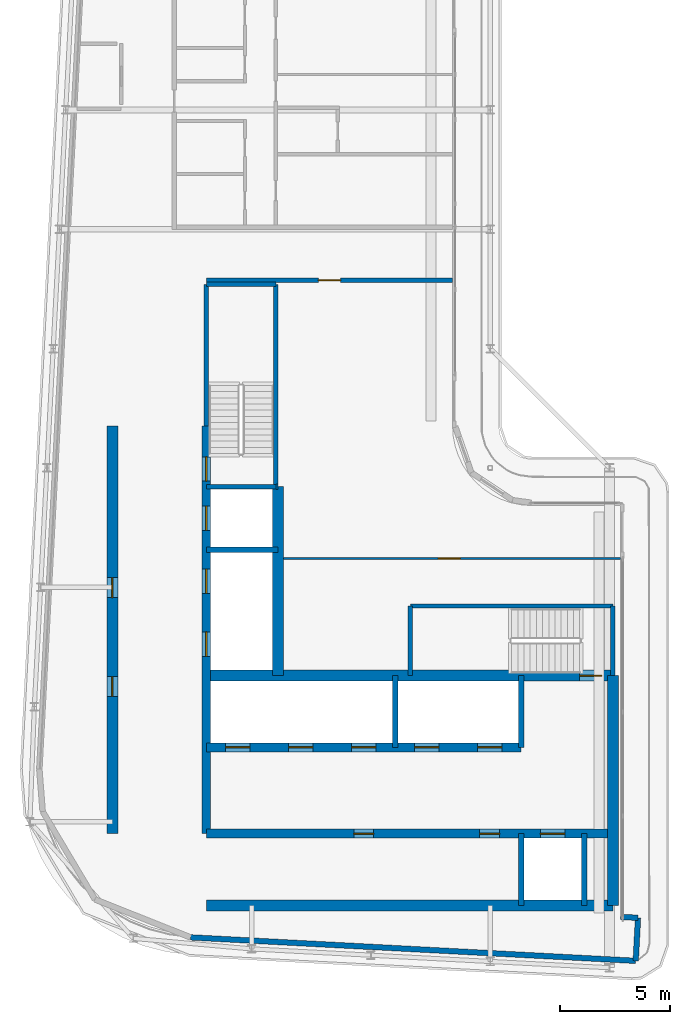
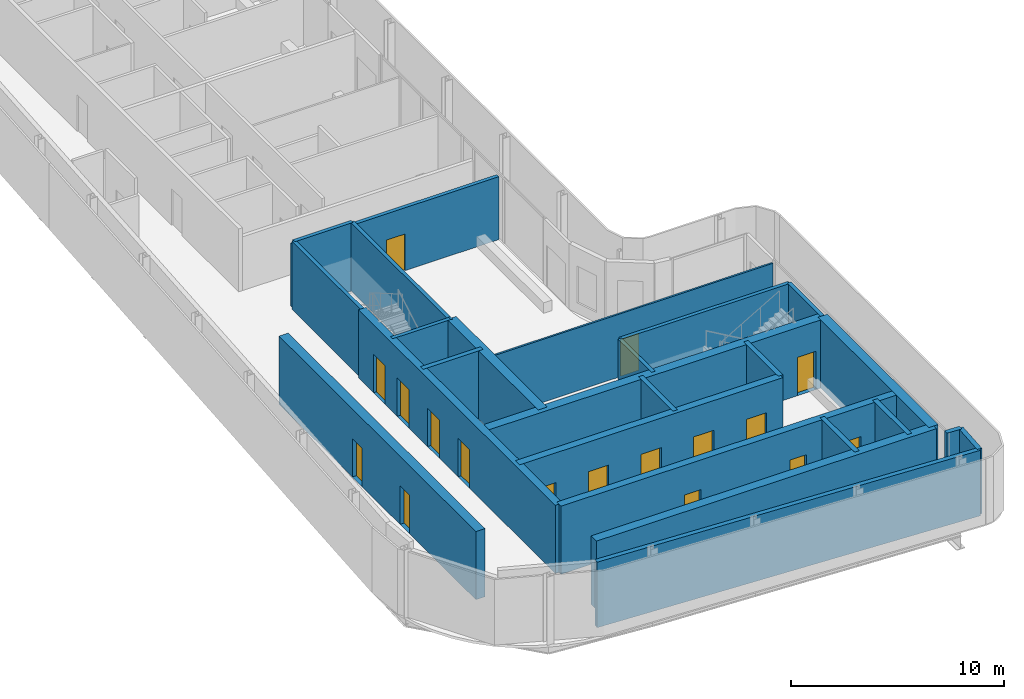
# One storey, part 9 of 18: 26 walls, 17 doors, 17 openings.
"""IFC4 building model written with IfcOpenShell, lengths in metres."""

import ifcopenshell
import ifcopenshell.guid

model = None  # the IFC model being written
_history = None  # IfcOwnerHistory: only IFC2X3 demands one
_inside = {}  # id of a spatial element -> (the spatial element, [elements in it])
_under = {}  # id of a project, library or spatial element -> (it, [spatial elements below it])
_declared = {}  # id of a project -> (the project, [libraries it declares])
_typed = {}  # id of a type object -> (the type object, [elements of that type])
_made_of = {}  # id of a material, layer set ... -> (it, [elements and type objects made of it])


def new_model(schema):
    """Start an empty IFC model of exactly this schema.

    Asked for "IFC4X3", IfcOpenShell would pick the latest addendum, in which some entities
    have other attributes; the version numbers below select the first issue.
    IFC2X3 requires an IfcOwnerHistory on every rooted entity: one is made here for all.
    """
    global model, _history
    if schema == "IFC4X3":
        model = ifcopenshell.file(schema_version=(4, 3, 0, 0))
    else:
        model = ifcopenshell.file(schema=schema)
    _inside.clear()
    _under.clear()
    _declared.clear()
    _typed.clear()
    _made_of.clear()
    _history = None
    if model.schema == "IFC2X3":
        org = make("IfcOrganization", Name="unknown")
        user = make(
            "IfcPersonAndOrganization",
            ThePerson=make("IfcPerson", FamilyName="unknown"),
            TheOrganization=org,
        )
        app = make(
            "IfcApplication",
            ApplicationDeveloper=org,
            Version="unknown",
            ApplicationFullName="unknown",
            ApplicationIdentifier="unknown",
        )
        _history = make(
            "IfcOwnerHistory",
            OwningUser=user,
            OwningApplication=app,
            ChangeAction="ADDED",
            CreationDate=0,
        )
    return model


def make(cls, **values):
    """One entity of the class cls with the attributes given. An attribute that is None is left unset."""
    return model.create_entity(
        cls, **{name: value for name, value in values.items() if value is not None}
    )


def rooted(cls, **values):
    """An entity with a GlobalId (a new one), such as an element, a storey or a relation."""
    return make(cls, GlobalId=ifcopenshell.guid.new(), OwnerHistory=_history, **values)


def si_unit(unit_type, name, prefix=None):
    """IfcSIUnit, for example si_unit("LENGTHUNIT", "METRE", prefix="MILLI")."""
    return make("IfcSIUnit", UnitType=unit_type, Prefix=prefix, Name=name)


def assignment(units):
    """IfcUnitAssignment: the units of a project."""
    return None if units is None else make("IfcUnitAssignment", Units=units)


def point(xyz):
    """IfcCartesianPoint."""
    return None if xyz is None else make("IfcCartesianPoint", Coordinates=xyz)


def direction(xyz):
    """IfcDirection."""
    return None if xyz is None else make("IfcDirection", DirectionRatios=xyz)


def frame(location, z_axis=None, x_axis=None):
    """IfcAxis2Placement3D, a coordinate frame: its origin and axes. An axis left out is left unset."""
    return make(
        "IfcAxis2Placement3D",
        Location=point(location),
        Axis=direction(z_axis),
        RefDirection=direction(x_axis),
    )


def frame_2d(location, x_axis=None):
    """IfcAxis2Placement2D, a coordinate frame in the plane: its origin and x axis."""
    return make(
        "IfcAxis2Placement2D", Location=point(location), RefDirection=direction(x_axis)
    )


def origin():
    """The frame at (0, 0, 0) with its axes left unset."""
    return frame((0.0, 0.0, 0.0))


def place(relative_to, where):
    """IfcLocalPlacement: puts the frame where relative to a parent placement (None: the world)."""
    return make(
        "IfcLocalPlacement", PlacementRelTo=relative_to, RelativePlacement=where
    )


def context(
    kind, dimensions, precision=None, world=None, true_north=None, identifier=None
):
    """IfcGeometricRepresentationContext, for example the 3D "Model" context."""
    return make(
        "IfcGeometricRepresentationContext",
        ContextIdentifier=identifier,
        ContextType=kind,
        CoordinateSpaceDimension=dimensions,
        Precision=precision,
        WorldCoordinateSystem=world,
        TrueNorth=true_north,
    )


def subcontext(parent, identifier, kind, view, scale=None):
    """IfcGeometricRepresentationSubContext, for example "Body" below "Model"."""
    return make(
        "IfcGeometricRepresentationSubContext",
        ContextIdentifier=identifier,
        ContextType=kind,
        ParentContext=parent,
        TargetScale=scale,
        TargetView=view,
    )


def project(units=None, contexts=None):
    """IfcProject with its units and contexts."""
    return rooted(
        "IfcProject",
        Name="project",
        RepresentationContexts=contexts,
        UnitsInContext=assignment(units),
    )


def spatial(cls, under=None, at=None, **own):
    """A site, building, storey or space (cls), placed at a placement, below another one or the project."""
    s = rooted(cls, ObjectPlacement=at, **own)
    if under is not None:
        _under.setdefault(under.id(), (under, []))[1].append(s)
    return s


def profile(cls, at=None, kind="AREA", **sizes):
    """A parametric profile (cls). Its sizes go by their IFC names, for example OverallWidth=200.0."""
    return make(cls, ProfileType=kind, Position=at, **sizes)


def rectangle(**sizes):
    """IfcRectangleProfileDef."""
    return profile("IfcRectangleProfileDef", **sizes)


def extrude(swept, where, along, depth):
    """IfcExtrudedAreaSolid: the profile swept, set in the frame where, extruded along a direction by depth."""
    return make(
        "IfcExtrudedAreaSolid",
        SweptArea=swept,
        Position=where,
        ExtrudedDirection=direction(along),
        Depth=depth,
    )


def shape(context_of_items, identifier, shape_type, items):
    """IfcShapeRepresentation: the items that make up one representation, for example the "Body"."""
    return make(
        "IfcShapeRepresentation",
        ContextOfItems=context_of_items,
        RepresentationIdentifier=identifier,
        RepresentationType=shape_type,
        Items=items,
    )


def source(mapping_origin, context_of_items, identifier, shape_type, items):
    """IfcRepresentationMap: a shape defined once, which mapped items show again and again."""
    return make(
        "IfcRepresentationMap",
        MappingOrigin=mapping_origin,
        MappedRepresentation=shape(context_of_items, identifier, shape_type, items),
    )


def transform(
    local_origin,
    x_axis=None,
    y_axis=None,
    z_axis=None,
    scale=None,
    scale2=None,
    scale3=None,
    uniform=True,
):
    """IfcCartesianTransformationOperator3D, or its non-uniform kind. x_axis, y_axis, z_axis: its Axis1, 2, 3."""
    if uniform:
        return make(
            "IfcCartesianTransformationOperator3D",
            Axis1=direction(x_axis),
            Axis2=direction(y_axis),
            LocalOrigin=point(local_origin),
            Scale=scale,
            Axis3=direction(z_axis),
        )
    return make(
        "IfcCartesianTransformationOperator3DnonUniform",
        Axis1=direction(x_axis),
        Axis2=direction(y_axis),
        LocalOrigin=point(local_origin),
        Scale=scale,
        Axis3=direction(z_axis),
        Scale2=scale2,
        Scale3=scale3,
    )


def mapped(mapping_source, mapping_target):
    """IfcMappedItem: shows the shape of a source again, moved by a transform."""
    return make(
        "IfcMappedItem", MappingSource=mapping_source, MappingTarget=mapping_target
    )


def material(Name=None, Category=None):
    """IfcMaterial."""
    return make("IfcMaterial", Name=Name, Category=Category)


def layer(
    of_material, thickness, ventilated=None, Name=None, Category=None, Priority=None
):
    """IfcMaterialLayer: one layer of a wall or slab, of a material (None: an air gap)."""
    return make(
        "IfcMaterialLayer",
        Material=of_material,
        LayerThickness=thickness,
        IsVentilated=ventilated,
        Name=Name,
        Category=Category,
        Priority=Priority,
    )


def layer_set(layers, Name=None):
    """IfcMaterialLayerSet."""
    return make("IfcMaterialLayerSet", MaterialLayers=layers, LayerSetName=Name)


def made_of(thing, what):
    """Note that an element or type object is made of a material, layer set ...; save() writes the relation."""
    if what is not None:
        _made_of.setdefault(what.id(), (what, []))[1].append(thing)
    return thing


def type_object(cls, material=None, **own):
    """A type object (cls), such as IfcWallType, which elements share."""
    return made_of(rooted(cls, **own), material)


def element(
    cls,
    number,
    at=None,
    inside=None,
    cuts=None,
    type_object=None,
    material=None,
    context=None,
    identifier="Body",
    shape_type=None,
    held_by="IfcProductDefinitionShape",
    body=None,
    shapes=None,
    **own,
):
    """One element of the class cls, such as IfcWall. Its Tag is "e" and its number.

    at: its placement. inside: the storey or other place that contains it. cuts: it is an
    opening in that element (IfcRelVoidsElement). A single representation is given by context,
    identifier, shape_type and body (its items); several are given by shapes. held_by: the class
    of the entity that holds the representations. save() writes the other relations.
    """
    e = rooted(cls, Tag="e%d" % number, ObjectPlacement=at, **own)
    if body is not None:
        shapes = [shape(context, identifier, shape_type, body)]
    if shapes is not None:
        e.Representation = make(held_by, Representations=shapes)
    if inside is not None:
        _inside.setdefault(inside.id(), (inside, []))[1].append(e)
    if cuts is not None:
        rooted(
            "IfcRelVoidsElement", RelatingBuildingElement=cuts, RelatedOpeningElement=e
        )
    if type_object is not None:
        _typed.setdefault(type_object.id(), (type_object, []))[1].append(e)
    return made_of(e, material)


def fill(opening, filler):
    """IfcRelFillsElement: the door or window that sits in an opening."""
    return rooted(
        "IfcRelFillsElement",
        RelatingOpeningElement=opening,
        RelatedBuildingElement=filler,
    )


def aggregate(whole, parts):
    """IfcRelAggregates: a whole, such as a stair, and the parts it consists of."""
    return rooted("IfcRelAggregates", RelatingObject=whole, RelatedObjects=parts)


def save(model, path):
    """Write the relations noted so far, then the file.

    IfcRelAggregates (storeys below a building ...), IfcRelContainedInSpatialStructure (elements
    in a storey), IfcRelDefinesByType, IfcRelAssociatesMaterial and IfcRelDeclares: one each for
    every whole, place, type object, material and project.
    """
    for whole, parts in _under.values():
        aggregate(whole, parts)
    for where, things in _inside.values():
        rooted(
            "IfcRelContainedInSpatialStructure",
            RelatedElements=things,
            RelatingStructure=where,
        )
    for kind, things in _typed.values():
        rooted("IfcRelDefinesByType", RelatedObjects=things, RelatingType=kind)
    for what, things in _made_of.values():
        rooted("IfcRelAssociatesMaterial", RelatedObjects=things, RelatingMaterial=what)
    for by, libraries in _declared.values():
        rooted("IfcRelDeclares", RelatingContext=by, RelatedDefinitions=libraries)
    model.write(path)


model = new_model("IFC4")

# Units and contexts
model_context = context("Model", 3, precision=1e-05, world=origin(), true_north=direction((0.0, 1.0)))
body_context = subcontext(model_context, "Body", "Model", "MODEL_VIEW")
ifc_project = project(units=[si_unit("LENGTHUNIT", "METRE"), si_unit("AREAUNIT", "SQUARE_METRE"), si_unit("VOLUMEUNIT", "CUBIC_METRE"), si_unit("PLANEANGLEUNIT", "RADIAN"), si_unit("MASSUNIT", "GRAM", prefix="KILO")], contexts=[model_context])

# Site, building, storey
site_placement = place(None, origin())
site = spatial("IfcSite", under=ifc_project, at=site_placement, CompositionType="ELEMENT")
building_placement = place(site_placement, origin())
building = spatial("IfcBuilding", under=site, at=building_placement, Name="Kheshtan School and Residences Tower", CompositionType="ELEMENT")
storey_placement = place(building_placement, frame((0.0, 0.0, 369.5)))
storey = spatial("IfcBuildingStorey", under=building, at=storey_placement, Name="L87", CompositionType="ELEMENT", Elevation=369.5)

# Wall, openings, doors
ifc_material_1 = material(Name="Concrete C50/60", Category="concrete")
ifc_layer_1 = layer(ifc_material_1, 0.39990234375)
ifc_layer_set_1 = layer_set([ifc_layer_1], Name="Core wall 400 Concrete C50/60")
wall_type_1 = type_object("IfcWallType", Name="Core wall 400 Concrete C50/60", PredefinedType="SHEAR", material=ifc_layer_set_1)
wall_1_placement = place(storey_placement, frame((34.75, 29.050048828125, 0.0), z_axis=(0.0, 0.0, 1.0), x_axis=(1.0, 0.0, 0.0)))
wall_1 = element("IfcWall", 1, at=wall_1_placement, inside=storey, type_object=wall_type_1, Name="Core wall CW-HALL-S1", PredefinedType="SHEAR", context=body_context, shape_type="SweptSolid", body=[
    extrude(rectangle(XDim=18.39990234375, YDim=0.39990234375, at=frame_2d((9.199951171875, 0.0))), origin(), (0.0, 0.0, 1.0), 3.89990234375),
])
opening_1_placement = place(wall_1_placement, frame((15.125, 0.0, 0.0)))
opening_1 = element("IfcOpeningElement", 2, at=opening_1_placement, cuts=wall_1, Name="Opening LD", PredefinedType="OPENING", context=body_context, shape_type="SweptSolid", body=[
    extrude(rectangle(XDim=1.10009765625, YDim=2.199951171875, at=frame_2d((0.550048828125, 1.10009765625))), frame((0.0, 0.2099609375, 0.0), z_axis=(0.0, -1.0, 0.0), x_axis=(1.0, 0.0, 0.0)), (0.0, 0.0, 1.0), 0.419921875),
])
opening_2_placement = place(wall_1_placement, frame((6.675048828125, 0.0, 0.0)))
opening_2 = element("IfcOpeningElement", 3, at=opening_2_placement, cuts=wall_1, Name="Opening SR90", PredefinedType="OPENING", context=body_context, shape_type="SweptSolid", body=[
    extrude(rectangle(XDim=0.89990234375, YDim=2.199951171875, at=frame_2d((0.449951171875, 1.10009765625))), frame((0.0, 0.2099609375, 0.0), z_axis=(0.0, -1.0, 0.0), x_axis=(1.0, 0.0, 0.0)), (0.0, 0.0, 1.0), 0.419921875),
])
opening_3_placement = place(wall_1_placement, frame((12.375, 0.0, 0.0)))
opening_3 = element("IfcOpeningElement", 4, at=opening_3_placement, cuts=wall_1, Name="Opening SR90", PredefinedType="OPENING", context=body_context, shape_type="SweptSolid", body=[
    extrude(rectangle(XDim=0.89990234375, YDim=2.199951171875, at=frame_2d((0.449951171875, 1.10009765625))), frame((0.0, 0.2099609375, 0.0), z_axis=(0.0, -1.0, 0.0), x_axis=(1.0, 0.0, 0.0)), (0.0, 0.0, 1.0), 0.419921875),
])
ifc_material_2 = material(Name="Stainless steel door leaves", Category="steel")
door_type_1 = type_object("IfcDoorType", Name="Lift landing door 1100", OperationType="SLIDING_TO_LEFT", PredefinedType="DOOR", material=ifc_material_2)
shared_shape_1 = source(origin(), body_context, "Body", "SweptSolid", [
    extrude(rectangle(XDim=1.10009765625, YDim=2.199951171875, at=frame_2d((0.550048828125, 1.10009765625))), frame((0.0, 0.02490234375, 0.0), z_axis=(0.0, -1.0, 0.0), x_axis=(1.0, 0.0, 0.0)), (0.0, 0.0, 1.0), 0.050048828125),
])
door_1_placement = place(opening_1_placement, origin())
door_1 = element("IfcDoor", 5, at=door_1_placement, inside=storey, type_object=door_type_1, Name="Lift FFL2 landing door", OperationType="SLIDING_TO_LEFT", OverallHeight=2.199951171875, OverallWidth=1.10009765625, PredefinedType="DOOR", context=body_context, shape_type="MappedRepresentation", body=[
    mapped(shared_shape_1, transform((0.0, 0.0, 0.0), x_axis=(1.0, 0.0, 0.0), y_axis=(0.0, 1.0, 0.0), z_axis=(0.0, 0.0, 1.0), scale=1.0)),
])
fill(opening_1, door_1)
ifc_material_3 = material(Name="Steel door leaf, galvanised", Category="steel")
door_type_2 = type_object("IfcDoorType", Name="Service room door 900 steel 90 min", OperationType="SINGLE_SWING_LEFT", PredefinedType="DOOR", material=ifc_material_3)
shared_shape_2 = source(origin(), body_context, "Body", "SweptSolid", [
    extrude(rectangle(XDim=0.89990234375, YDim=2.199951171875, at=frame_2d((0.449951171875, 1.10009765625))), frame((0.0, 0.02490234375, 0.0), z_axis=(0.0, -1.0, 0.0), x_axis=(1.0, 0.0, 0.0)), (0.0, 0.0, 1.0), 0.050048828125),
])
door_2_placement = place(opening_2_placement, origin())
door_2 = element("IfcDoor", 6, at=door_2_placement, inside=storey, type_object=door_type_2, Name="Service room door", OperationType="SINGLE_SWING_RIGHT", OverallHeight=2.199951171875, OverallWidth=0.89990234375, PredefinedType="DOOR", context=body_context, shape_type="MappedRepresentation", body=[
    mapped(shared_shape_2, transform((0.0, 0.0, 0.0), x_axis=(1.0, 0.0, 0.0), y_axis=(0.0, 1.0, 0.0), z_axis=(0.0, 0.0, 1.0), scale=1.0)),
])
fill(opening_2, door_2)
door_3_placement = place(opening_3_placement, origin())
door_3 = element("IfcDoor", 7, at=door_3_placement, inside=storey, type_object=door_type_2, Name="Service room door", OperationType="SINGLE_SWING_LEFT", OverallHeight=2.199951171875, OverallWidth=0.89990234375, PredefinedType="DOOR", context=body_context, shape_type="MappedRepresentation", body=[
    mapped(shared_shape_2, transform((0.0, 0.0, 0.0), x_axis=(1.0, 0.0, 0.0), y_axis=(0.0, 1.0, 0.0), z_axis=(0.0, 0.0, 1.0), scale=1.0)),
])
fill(opening_3, door_3)

wall_2_placement = place(storey_placement, frame((34.75, 32.949951171875, 0.0), z_axis=(0.0, 0.0, 1.0), x_axis=(1.0, 0.0, 0.0)))
wall_2 = element("IfcWall", 8, at=wall_2_placement, inside=storey, type_object=wall_type_1, Name="Core wall CW-HALL-S2", PredefinedType="SHEAR", context=body_context, shape_type="SweptSolid", body=[
    extrude(rectangle(XDim=14.25, YDim=0.39990234375, at=frame_2d((7.125, 0.0))), origin(), (0.0, 0.0, 1.0), 3.89990234375),
])
opening_4_placement = place(wall_2_placement, frame((0.875, 0.0, 0.0)))
opening_4 = element("IfcOpeningElement", 9, at=opening_4_placement, cuts=wall_2, Name="Opening LD", PredefinedType="OPENING", context=body_context, shape_type="SweptSolid", body=[
    extrude(rectangle(XDim=1.10009765625, YDim=2.199951171875, at=frame_2d((0.550048828125, 1.10009765625))), frame((0.0, 0.2099609375, 0.0), z_axis=(0.0, -1.0, 0.0), x_axis=(1.0, 0.0, 0.0)), (0.0, 0.0, 1.0), 0.419921875),
])
opening_5_placement = place(wall_2_placement, frame((3.72509765625, 0.0, 0.0)))
opening_5 = element("IfcOpeningElement", 10, at=opening_5_placement, cuts=wall_2, Name="Opening LD", PredefinedType="OPENING", context=body_context, shape_type="SweptSolid", body=[
    extrude(rectangle(XDim=1.10009765625, YDim=2.199951171875, at=frame_2d((0.550048828125, 1.10009765625))), frame((0.0, 0.2099609375, 0.0), z_axis=(0.0, -1.0, 0.0), x_axis=(1.0, 0.0, 0.0)), (0.0, 0.0, 1.0), 0.419921875),
])
opening_6_placement = place(wall_2_placement, frame((6.574951171875, 0.0, 0.0)))
opening_6 = element("IfcOpeningElement", 11, at=opening_6_placement, cuts=wall_2, Name="Opening LD", PredefinedType="OPENING", context=body_context, shape_type="SweptSolid", body=[
    extrude(rectangle(XDim=1.10009765625, YDim=2.199951171875, at=frame_2d((0.550048828125, 1.10009765625))), frame((0.0, 0.2099609375, 0.0), z_axis=(0.0, -1.0, 0.0), x_axis=(1.0, 0.0, 0.0)), (0.0, 0.0, 1.0), 0.419921875),
])
opening_7_placement = place(wall_2_placement, frame((9.425048828125, 0.0, 0.0)))
opening_7 = element("IfcOpeningElement", 12, at=opening_7_placement, cuts=wall_2, Name="Opening LD", PredefinedType="OPENING", context=body_context, shape_type="SweptSolid", body=[
    extrude(rectangle(XDim=1.10009765625, YDim=2.199951171875, at=frame_2d((0.550048828125, 1.10009765625))), frame((0.0, 0.2099609375, 0.0), z_axis=(0.0, -1.0, 0.0), x_axis=(1.0, 0.0, 0.0)), (0.0, 0.0, 1.0), 0.419921875),
])
opening_8_placement = place(wall_2_placement, frame((12.27490234375, 0.0, 0.0)))
opening_8 = element("IfcOpeningElement", 13, at=opening_8_placement, cuts=wall_2, Name="Opening LD", PredefinedType="OPENING", context=body_context, shape_type="SweptSolid", body=[
    extrude(rectangle(XDim=1.10009765625, YDim=2.199951171875, at=frame_2d((0.550048828125, 1.10009765625))), frame((0.0, 0.2099609375, 0.0), z_axis=(0.0, -1.0, 0.0), x_axis=(1.0, 0.0, 0.0)), (0.0, 0.0, 1.0), 0.419921875),
])
door_4_placement = place(opening_4_placement, origin())
door_4 = element("IfcDoor", 14, at=door_4_placement, inside=storey, type_object=door_type_1, Name="Lift P12 landing door", OperationType="SLIDING_TO_LEFT", OverallHeight=2.199951171875, OverallWidth=1.10009765625, PredefinedType="DOOR", context=body_context, shape_type="MappedRepresentation", body=[
    mapped(shared_shape_1, transform((0.0, 0.0, 0.0), x_axis=(1.0, 0.0, 0.0), y_axis=(0.0, 1.0, 0.0), z_axis=(0.0, 0.0, 1.0), scale=1.0)),
])
fill(opening_4, door_4)
door_5_placement = place(opening_5_placement, origin())
door_5 = element("IfcDoor", 15, at=door_5_placement, inside=storey, type_object=door_type_1, Name="Lift P13 landing door", OperationType="SLIDING_TO_LEFT", OverallHeight=2.199951171875, OverallWidth=1.10009765625, PredefinedType="DOOR", context=body_context, shape_type="MappedRepresentation", body=[
    mapped(shared_shape_1, transform((0.0, 0.0, 0.0), x_axis=(1.0, 0.0, 0.0), y_axis=(0.0, 1.0, 0.0), z_axis=(0.0, 0.0, 1.0), scale=1.0)),
])
fill(opening_5, door_5)
door_6_placement = place(opening_6_placement, origin())
door_6 = element("IfcDoor", 16, at=door_6_placement, inside=storey, type_object=door_type_1, Name="Lift P14 landing door", OperationType="SLIDING_TO_LEFT", OverallHeight=2.199951171875, OverallWidth=1.10009765625, PredefinedType="DOOR", context=body_context, shape_type="MappedRepresentation", body=[
    mapped(shared_shape_1, transform((0.0, 0.0, 0.0), x_axis=(1.0, 0.0, 0.0), y_axis=(0.0, 1.0, 0.0), z_axis=(0.0, 0.0, 1.0), scale=1.0)),
])
fill(opening_6, door_6)
door_7_placement = place(opening_7_placement, origin())
door_7 = element("IfcDoor", 17, at=door_7_placement, inside=storey, type_object=door_type_1, Name="Lift P15 landing door", OperationType="SLIDING_TO_LEFT", OverallHeight=2.199951171875, OverallWidth=1.10009765625, PredefinedType="DOOR", context=body_context, shape_type="MappedRepresentation", body=[
    mapped(shared_shape_1, transform((0.0, 0.0, 0.0), x_axis=(1.0, 0.0, 0.0), y_axis=(0.0, 1.0, 0.0), z_axis=(0.0, 0.0, 1.0), scale=1.0)),
])
fill(opening_7, door_7)
door_8_placement = place(opening_8_placement, origin())
door_8 = element("IfcDoor", 18, at=door_8_placement, inside=storey, type_object=door_type_1, Name="Lift P16 landing door", OperationType="SLIDING_TO_LEFT", OverallHeight=2.199951171875, OverallWidth=1.10009765625, PredefinedType="DOOR", context=body_context, shape_type="MappedRepresentation", body=[
    mapped(shared_shape_1, transform((0.0, 0.0, 0.0), x_axis=(1.0, 0.0, 0.0), y_axis=(0.0, 1.0, 0.0), z_axis=(0.0, 0.0, 1.0), scale=1.0)),
])
fill(opening_8, door_8)

wall_3_placement = place(storey_placement, frame((34.75, 29.050048828125, 0.0), z_axis=(0.0, 0.0, 1.0), x_axis=(0.0, 1.0, 0.0)))
wall_3 = element("IfcWall", 19, at=wall_3_placement, inside=storey, type_object=wall_type_1, Name="Core wall CW-HALL-W1", PredefinedType="SHEAR", context=body_context, shape_type="SweptSolid", body=[
    extrude(rectangle(XDim=18.449951171875, YDim=0.39990234375, at=frame_2d((9.22509765625, 0.0))), origin(), (0.0, 0.0, 1.0), 3.89990234375),
])
opening_9_placement = place(wall_3_placement, frame((8.02490234375, 0.0, 0.0)))
opening_9 = element("IfcOpeningElement", 20, at=opening_9_placement, cuts=wall_3, Name="Opening LD", PredefinedType="OPENING", context=body_context, shape_type="SweptSolid", body=[
    extrude(rectangle(XDim=1.10009765625, YDim=2.199951171875, at=frame_2d((0.550048828125, 1.10009765625))), frame((0.0, 0.2099609375, 0.0), z_axis=(0.0, -1.0, 0.0), x_axis=(1.0, 0.0, 0.0)), (0.0, 0.0, 1.0), 0.419921875),
])
opening_10_placement = place(wall_3_placement, frame((10.875, 0.0, 0.0)))
opening_10 = element("IfcOpeningElement", 21, at=opening_10_placement, cuts=wall_3, Name="Opening LD", PredefinedType="OPENING", context=body_context, shape_type="SweptSolid", body=[
    extrude(rectangle(XDim=1.10009765625, YDim=2.199951171875, at=frame_2d((0.550048828125, 1.10009765625))), frame((0.0, 0.2099609375, 0.0), z_axis=(0.0, -1.0, 0.0), x_axis=(1.0, 0.0, 0.0)), (0.0, 0.0, 1.0), 0.419921875),
])
opening_11_placement = place(wall_3_placement, frame((13.72509765625, 0.0, 0.0)))
opening_11 = element("IfcOpeningElement", 22, at=opening_11_placement, cuts=wall_3, Name="Opening LD", PredefinedType="OPENING", context=body_context, shape_type="SweptSolid", body=[
    extrude(rectangle(XDim=1.10009765625, YDim=2.199951171875, at=frame_2d((0.550048828125, 1.10009765625))), frame((0.0, 0.2099609375, 0.0), z_axis=(0.0, -1.0, 0.0), x_axis=(1.0, 0.0, 0.0)), (0.0, 0.0, 1.0), 0.419921875),
])
opening_12_placement = place(wall_3_placement, frame((15.949951171875, 0.0, 0.0)))
opening_12 = element("IfcOpeningElement", 23, at=opening_12_placement, cuts=wall_3, Name="Opening ST2D", PredefinedType="OPENING", context=body_context, shape_type="SweptSolid", body=[
    extrude(rectangle(XDim=1.10009765625, YDim=2.199951171875, at=frame_2d((0.550048828125, 1.10009765625))), frame((0.0, 0.2099609375, 0.0), z_axis=(0.0, -1.0, 0.0), x_axis=(1.0, 0.0, 0.0)), (0.0, 0.0, 1.0), 0.419921875),
])
door_9_placement = place(opening_9_placement, origin())
door_9 = element("IfcDoor", 24, at=door_9_placement, inside=storey, type_object=door_type_1, Name="Lift SV1 landing door", OperationType="SLIDING_TO_LEFT", OverallHeight=2.199951171875, OverallWidth=1.10009765625, PredefinedType="DOOR", context=body_context, shape_type="MappedRepresentation", body=[
    mapped(shared_shape_1, transform((0.0, 0.0, 0.0), x_axis=(1.0, 0.0, 0.0), y_axis=(0.0, 1.0, 0.0), z_axis=(0.0, 0.0, 1.0), scale=1.0)),
])
fill(opening_9, door_9)
door_10_placement = place(opening_10_placement, origin())
door_10 = element("IfcDoor", 25, at=door_10_placement, inside=storey, type_object=door_type_1, Name="Lift SV2 landing door", OperationType="SLIDING_TO_LEFT", OverallHeight=2.199951171875, OverallWidth=1.10009765625, PredefinedType="DOOR", context=body_context, shape_type="MappedRepresentation", body=[
    mapped(shared_shape_1, transform((0.0, 0.0, 0.0), x_axis=(1.0, 0.0, 0.0), y_axis=(0.0, 1.0, 0.0), z_axis=(0.0, 0.0, 1.0), scale=1.0)),
])
fill(opening_10, door_10)
door_11_placement = place(opening_11_placement, origin())
door_11 = element("IfcDoor", 26, at=door_11_placement, inside=storey, type_object=door_type_1, Name="Lift FFL1 landing door", OperationType="SLIDING_TO_LEFT", OverallHeight=2.199951171875, OverallWidth=1.10009765625, PredefinedType="DOOR", context=body_context, shape_type="MappedRepresentation", body=[
    mapped(shared_shape_1, transform((0.0, 0.0, 0.0), x_axis=(1.0, 0.0, 0.0), y_axis=(0.0, 1.0, 0.0), z_axis=(0.0, 0.0, 1.0), scale=1.0)),
])
fill(opening_11, door_11)
door_type_3 = type_object("IfcDoorType", Name="Stair door 1100 steel 90 min", OperationType="SINGLE_SWING_LEFT", PredefinedType="DOOR", material=ifc_material_3)
shared_shape_3 = source(origin(), body_context, "Body", "SweptSolid", [
    extrude(rectangle(XDim=1.10009765625, YDim=2.199951171875, at=frame_2d((0.550048828125, 1.10009765625))), frame((0.0, 0.02490234375, 0.0), z_axis=(0.0, -1.0, 0.0), x_axis=(1.0, 0.0, 0.0)), (0.0, 0.0, 1.0), 0.050048828125),
])
door_12_placement = place(opening_12_placement, origin())
door_12 = element("IfcDoor", 27, at=door_12_placement, inside=storey, type_object=door_type_3, Name="Stair ST2 door", OperationType="SINGLE_SWING_RIGHT", OverallHeight=2.199951171875, OverallWidth=1.10009765625, PredefinedType="DOOR", context=body_context, shape_type="MappedRepresentation", body=[
    mapped(shared_shape_3, transform((0.0, 0.0, 0.0), x_axis=(1.0, 0.0, 0.0), y_axis=(0.0, 1.0, 0.0), z_axis=(0.0, 0.0, 1.0), scale=1.0)),
])
fill(opening_12, door_12)

# Wall
ifc_layer_2 = layer(ifc_material_1, 0.5)
ifc_layer_set_2 = layer_set([ifc_layer_2], Name="Core wall 500 Concrete C50/60")
wall_type_2 = type_object("IfcWallType", Name="Core wall 500 Concrete C50/60", PredefinedType="SHEAR", material=ifc_layer_set_2)
wall_4_placement = place(storey_placement, frame((34.75, 25.800048828125, 0.0), z_axis=(0.0, 0.0, 1.0), x_axis=(1.0, 0.0, 0.0)))
element("IfcWall", 28, at=wall_4_placement, inside=storey, type_object=wall_type_2, Name="Core wall CW-REAR-S", PredefinedType="SHEAR", context=body_context, shape_type="SweptSolid", body=[
    extrude(rectangle(XDim=18.39990234375, YDim=0.5, at=frame_2d((9.199951171875, 0.0))), origin(), (0.0, 0.0, 1.0), 3.89990234375),
])

# Wall, opening, door
wall_5_placement = place(storey_placement, frame((34.75, 36.199951171875, 0.0), z_axis=(0.0, 0.0, 1.0), x_axis=(1.0, 0.0, 0.0)))
wall_5 = element("IfcWall", 29, at=wall_5_placement, inside=storey, type_object=wall_type_2, Name="Core wall CW-FRONT-S", PredefinedType="SHEAR", context=body_context, shape_type="SweptSolid", body=[
    extrude(rectangle(XDim=18.39990234375, YDim=0.5, at=frame_2d((9.199951171875, 0.0))), origin(), (0.0, 0.0, 1.0), 3.89990234375),
])
opening_13_placement = place(wall_5_placement, frame((16.89990234375, 0.0, 0.0)))
opening_13 = element("IfcOpeningElement", 30, at=opening_13_placement, cuts=wall_5, Name="Opening ST1D", PredefinedType="OPENING", context=body_context, shape_type="SweptSolid", body=[
    extrude(rectangle(XDim=1.0, YDim=2.199951171875, at=frame_2d((0.5, 1.10009765625))), frame((0.0, 0.260009765625, 0.0), z_axis=(0.0, -1.0, 0.0), x_axis=(1.0, 0.0, 0.0)), (0.0, 0.0, 1.0), 0.52001953125),
])
shared_shape_4 = source(origin(), body_context, "Body", "SweptSolid", [
    extrude(rectangle(XDim=1.0, YDim=2.199951171875, at=frame_2d((0.5, 1.10009765625))), frame((0.0, 0.02490234375, 0.0), z_axis=(0.0, -1.0, 0.0), x_axis=(1.0, 0.0, 0.0)), (0.0, 0.0, 1.0), 0.050048828125),
])
door_13_placement = place(opening_13_placement, origin())
door_13 = element("IfcDoor", 31, at=door_13_placement, inside=storey, type_object=door_type_3, Name="Stair ST1 door", OperationType="SINGLE_SWING_RIGHT", OverallHeight=2.199951171875, OverallWidth=1.0, PredefinedType="DOOR", context=body_context, shape_type="MappedRepresentation", body=[
    mapped(shared_shape_4, transform((0.0, 0.0, 0.0), x_axis=(1.0, 0.0, 0.0), y_axis=(0.0, 1.0, 0.0), z_axis=(0.0, 0.0, 1.0), scale=1.0)),
])
fill(opening_13, door_13)

# Wall
wall_6_placement = place(storey_placement, frame((38.0, 36.199951171875, 0.0), z_axis=(0.0, 0.0, 1.0), x_axis=(0.0, 1.0, 0.0)))
element("IfcWall", 32, at=wall_6_placement, inside=storey, type_object=wall_type_2, Name="Core wall CW-FRONT-W", PredefinedType="SHEAR", context=body_context, shape_type="SweptSolid", body=[
    extrude(rectangle(XDim=8.550048828125, YDim=0.5, at=frame_2d((4.27490234375, 0.0))), origin(), (0.0, 0.0, 1.0), 3.89990234375),
])

# Wall, openings, doors
wall_7_placement = place(storey_placement, frame((30.5, 29.050048828125, 0.0), z_axis=(0.0, 0.0, 1.0), x_axis=(0.0, 1.0, 0.0)))
wall_7 = element("IfcWall", 33, at=wall_7_placement, inside=storey, type_object=wall_type_2, Name="Core wall CW-REAR-W", PredefinedType="SHEAR", context=body_context, shape_type="SweptSolid", body=[
    extrude(rectangle(XDim=18.449951171875, YDim=0.5, at=frame_2d((9.22509765625, 0.0))), origin(), (0.0, 0.0, 1.0), 3.89990234375),
])
opening_14_placement = place(wall_7_placement, frame((6.2099609375, 0.0, 0.0)))
opening_14 = element("IfcOpeningElement", 34, at=opening_14_placement, cuts=wall_7, Name="Opening SR90", PredefinedType="OPENING", context=body_context, shape_type="SweptSolid", body=[
    extrude(rectangle(XDim=0.89990234375, YDim=2.199951171875, at=frame_2d((0.449951171875, 1.10009765625))), frame((0.0, 0.260009765625, 0.0), z_axis=(0.0, -1.0, 0.0), x_axis=(1.0, 0.0, 0.0)), (0.0, 0.0, 1.0), 0.52001953125),
])
opening_15_placement = place(wall_7_placement, frame((10.68408203125, 0.0, 0.0)))
opening_15 = element("IfcOpeningElement", 35, at=opening_15_placement, cuts=wall_7, Name="Opening SR90", PredefinedType="OPENING", context=body_context, shape_type="SweptSolid", body=[
    extrude(rectangle(XDim=0.89990234375, YDim=2.199951171875, at=frame_2d((0.449951171875, 1.10009765625))), frame((0.0, 0.260009765625, 0.0), z_axis=(0.0, -1.0, 0.0), x_axis=(1.0, 0.0, 0.0)), (0.0, 0.0, 1.0), 0.52001953125),
])
door_14_placement = place(opening_14_placement, origin())
door_14 = element("IfcDoor", 36, at=door_14_placement, inside=storey, type_object=door_type_2, Name="Service room door", OperationType="SINGLE_SWING_RIGHT", OverallHeight=2.199951171875, OverallWidth=0.89990234375, PredefinedType="DOOR", context=body_context, shape_type="MappedRepresentation", body=[
    mapped(shared_shape_2, transform((0.0, 0.0, 0.0), x_axis=(1.0, 0.0, 0.0), y_axis=(0.0, 1.0, 0.0), z_axis=(0.0, 0.0, 1.0), scale=1.0)),
])
fill(opening_14, door_14)
door_15_placement = place(opening_15_placement, origin())
door_15 = element("IfcDoor", 37, at=door_15_placement, inside=storey, type_object=door_type_2, Name="Service room door", OperationType="SINGLE_SWING_LEFT", OverallHeight=2.199951171875, OverallWidth=0.89990234375, PredefinedType="DOOR", context=body_context, shape_type="MappedRepresentation", body=[
    mapped(shared_shape_2, transform((0.0, 0.0, 0.0), x_axis=(1.0, 0.0, 0.0), y_axis=(0.0, 1.0, 0.0), z_axis=(0.0, 0.0, 1.0), scale=1.0)),
])
fill(opening_15, door_15)

# Wall
wall_8_placement = place(storey_placement, frame((53.14990234375, 25.800048828125, 0.0), z_axis=(0.0, 0.0, 1.0), x_axis=(0.0, 1.0, 0.0)))
element("IfcWall", 38, at=wall_8_placement, inside=storey, type_object=wall_type_2, Name="Core wall CW-EAST", PredefinedType="SHEAR", context=body_context, shape_type="SweptSolid", body=[
    extrude(rectangle(XDim=10.39990234375, YDim=0.5, at=frame_2d((5.199951171875, 0.0))), origin(), (0.0, 0.0, 1.0), 3.89990234375),
])

# Wall, opening, door
ifc_material_4 = material(Name="Gypsum board on steel studs with fire boards", Category="steel")
ifc_layer_3 = layer(ifc_material_4, 0.199951171875)
ifc_layer_set_3 = layer_set([ifc_layer_3], Name="Corridor wall 200")
wall_type_3 = type_object("IfcWallType", Name="Corridor wall 200", PredefinedType="PARTITIONING", material=ifc_layer_set_3)
wall_9_placement = place(storey_placement, frame((34.75, 54.10009765625, 0.0), z_axis=(0.0, 0.0, 1.0), x_axis=(1.0, 0.0, 0.0)))
wall_9 = element("IfcWall", 39, at=wall_9_placement, inside=storey, type_object=wall_type_3, Name="Partition L87-018", PredefinedType="PARTITIONING", context=body_context, shape_type="SweptSolid", body=[
    extrude(rectangle(XDim=11.14990234375, YDim=0.199951171875, at=frame_2d((5.574951171875, 0.0))), origin(), (0.0, 0.0, 1.0), 3.60009765625),
])
opening_16_placement = place(wall_9_placement, frame((5.074951171875, 0.0, 0.0)))
opening_16 = element("IfcOpeningElement", 40, at=opening_16_placement, cuts=wall_9, Name="Opening D87-030", PredefinedType="OPENING", context=body_context, shape_type="SweptSolid", body=[
    extrude(rectangle(XDim=1.0, YDim=2.10009765625, at=frame_2d((0.5, 1.050048828125))), frame((0.0, 0.10986328125, 0.0), z_axis=(0.0, -1.0, 0.0), x_axis=(1.0, 0.0, 0.0)), (0.0, 0.0, 1.0), 0.219970703125),
])
ifc_material_5 = material(Name="Steel-framed fire-resisting door leaf", Category="steel")
door_type_4 = type_object("IfcDoorType", Name="Fire door FD60 1000 x 2100", OperationType="SINGLE_SWING_LEFT", PredefinedType="DOOR", material=ifc_material_5)
shared_shape_5 = source(origin(), body_context, "Body", "SweptSolid", [
    extrude(rectangle(XDim=1.0, YDim=2.10009765625, at=frame_2d((0.5, 1.050048828125))), frame((0.0, 0.02490234375, 0.0), z_axis=(0.0, -1.0, 0.0), x_axis=(1.0, 0.0, 0.0)), (0.0, 0.0, 1.0), 0.050048828125),
])
door_16_placement = place(opening_16_placement, origin())
door_16 = element("IfcDoor", 41, at=door_16_placement, inside=storey, type_object=door_type_4, Name="Door D87-030", OperationType="SINGLE_SWING_RIGHT", OverallHeight=2.10009765625, OverallWidth=1.0, PredefinedType="DOOR", context=body_context, shape_type="MappedRepresentation", body=[
    mapped(shared_shape_5, transform((0.0, 0.0, 0.0), x_axis=(1.0, 0.0, 0.0), y_axis=(0.0, 1.0, 0.0), z_axis=(0.0, 0.0, 1.0), scale=1.0)),
])
fill(opening_16, door_16)

# Walls
ifc_material_6 = material(Name="Concrete C40/50 with ceramic cladding and mineral wool insulation", Category="concrete")
ifc_layer_4 = layer(ifc_material_6, 0.25)
ifc_layer_set_4 = layer_set([ifc_layer_4], Name="External wall 250 ceramic clad")
wall_type_4 = type_object("IfcWallType", Name="External wall 250 ceramic clad", PredefinedType="SOLIDWALL", material=ifc_layer_set_4)
wall_10_placement = place(storey_placement, frame((53.507080078125, 25.281005859375, 0.0), z_axis=(0.0, 0.0, 1.0), x_axis=(0.998561284263, -0.053622398031, 0.0)))
element("IfcWall", 42, at=wall_10_placement, inside=storey, type_object=wall_type_4, Name="External wall L87 14", PredefinedType="SOLIDWALL", context=body_context, shape_type="SweptSolid", body=[
    extrude(rectangle(XDim=0.783203125, YDim=0.25, at=frame_2d((0.3916015625, 0.0))), origin(), (0.0, 0.0, 1.0), 3.75),
])
wall_11_placement = place(storey_placement, frame((54.2890625, 25.239013671875, 0.0), z_axis=(0.0, 0.0, 1.0), x_axis=(-0.052841433274, -0.998602915542, 0.0)))
element("IfcWall", 43, at=wall_11_placement, inside=storey, type_object=wall_type_4, Name="External wall L87 15", PredefinedType="SOLIDWALL", context=body_context, shape_type="SweptSolid", body=[
    extrude(rectangle(XDim=1.94970703125, YDim=0.25, at=frame_2d((0.974853515625, 0.0))), origin(), (0.0, 0.0, 1.0), 3.75),
])
wall_12_placement = place(storey_placement, frame((54.18603515625, 23.2919921875, 0.0), z_axis=(0.0, 0.0, 1.0), x_axis=(-0.998616090491, 0.052591860707, 0.0)))
element("IfcWall", 44, at=wall_12_placement, inside=storey, type_object=wall_type_4, Name="External wall L87 16", PredefinedType="SOLIDWALL", context=body_context, shape_type="SweptSolid", body=[
    extrude(rectangle(XDim=20.1748046875, YDim=0.25, at=frame_2d((10.08740234375, 0.0))), origin(), (0.0, 0.0, 1.0), 3.75),
])

# Wall, opening, door
ifc_material_7 = material(Name="Gypsum board on steel studs", Category="steel")
ifc_layer_5 = layer(ifc_material_7, 0.10009765625)
ifc_layer_set_5 = layer_set([ifc_layer_5], Name="Gypsum partition 100")
wall_type_5 = type_object("IfcWallType", Name="Gypsum partition 100", PredefinedType="PARTITIONING", material=ifc_layer_set_5)
wall_13_placement = place(storey_placement, frame((38.2490234375, 41.5, 0.0), z_axis=(0.0, 0.0, 1.0), x_axis=(1.0, 0.0, 0.0)))
wall_13 = element("IfcWall", 45, at=wall_13_placement, inside=storey, type_object=wall_type_5, Name="Partition L87-038", PredefinedType="PARTITIONING", context=body_context, shape_type="SweptSolid", body=[
    extrude(rectangle(XDim=15.2509765625, YDim=0.10009765625, at=frame_2d((7.62548828125, 0.0))), origin(), (0.0, 0.0, 1.0), 3.60009765625),
])
opening_17_placement = place(wall_13_placement, frame((7.0009765625, 0.0, 0.0)))
opening_17 = element("IfcOpeningElement", 46, at=opening_17_placement, cuts=wall_13, Name="Opening D87-029", PredefinedType="OPENING", context=body_context, shape_type="SweptSolid", body=[
    extrude(rectangle(XDim=1.0, YDim=2.10009765625, at=frame_2d((0.5, 1.050048828125))), frame((0.0, 0.06005859375, 0.0), z_axis=(0.0, -1.0, 0.0), x_axis=(1.0, 0.0, 0.0)), (0.0, 0.0, 1.0), 0.1201171875),
])
ifc_material_8 = material(Name="Veneered timber door leaf", Category="wood")
door_type_5 = type_object("IfcDoorType", Name="Door 1000 x 2100", OperationType="SINGLE_SWING_LEFT", PredefinedType="DOOR", material=ifc_material_8)
shared_shape_6 = source(origin(), body_context, "Body", "SweptSolid", [
    extrude(rectangle(XDim=1.0, YDim=2.10009765625, at=frame_2d((0.5, 1.050048828125))), frame((0.0, 0.02490234375, 0.0), z_axis=(0.0, -1.0, 0.0), x_axis=(1.0, 0.0, 0.0)), (0.0, 0.0, 1.0), 0.050048828125),
])
door_17_placement = place(opening_17_placement, origin())
door_17 = element("IfcDoor", 47, at=door_17_placement, inside=storey, type_object=door_type_5, Name="Door D87-029", OperationType="SINGLE_SWING_LEFT", OverallHeight=2.10009765625, OverallWidth=1.0, PredefinedType="DOOR", context=body_context, shape_type="MappedRepresentation", body=[
    mapped(shared_shape_6, transform((0.0, 0.0, 0.0), x_axis=(1.0, 0.0, 0.0), y_axis=(0.0, 1.0, 0.0), z_axis=(0.0, 0.0, 1.0), scale=1.0)),
])
fill(opening_17, door_17)

# Walls
ifc_material_9 = material(Name="Fire-board shaft wall system")
ifc_layer_6 = layer(ifc_material_9, 0.25)
ifc_layer_set_6 = layer_set([ifc_layer_6], Name="Shaft lining wall 250")
wall_type_6 = type_object("IfcWallType", Name="Shaft lining wall 250", PredefinedType="PARTITIONING", material=ifc_layer_set_6)
for number, where, z_axis, x_axis, name in (
    (48, (43.300048828125, 32.949951171875, 0.0), (0.0, 0.0, 1.0), (0.0, 1.0, 0.0), "Shaft lining wall"),
    (49, (49.0, 25.800048828125, 0.0), (0.0, 0.0, 1.0), (0.0, 1.0, 0.0), "Shaft lining wall"),
    (50, (49.0, 32.949951171875, 0.0), (0.0, 0.0, 1.0), (0.0, 1.0, 0.0), "Shaft lining wall"),
    (51, (51.85009765625, 25.800048828125, 0.0), (0.0, 0.0, 1.0), (0.0, 1.0, 0.0), "Shaft lining wall"),
    (52, (34.75, 41.89990234375, 0.0), (0.0, 0.0, 1.0), (1.0, 0.0, 0.0), "Shaft lining wall"),
):
    element("IfcWall", number, at=place(storey_placement, frame(where, z_axis=z_axis, x_axis=x_axis)), inside=storey, type_object=wall_type_6, Name=name, PredefinedType="PARTITIONING", context=body_context, shape_type="SweptSolid", body=[
        extrude(rectangle(XDim=3.25, YDim=0.25, at=frame_2d((1.625, 0.0))), origin(), (0.0, 0.0, 1.0), 3.89990234375),
    ])
wall_14_placement = place(storey_placement, frame((37.89990234375, 44.75, 0.0), z_axis=(0.0, 0.0, 1.0), x_axis=(1.0, 0.0, 0.0)))
element("IfcWall", 53, at=wall_14_placement, inside=storey, type_object=wall_type_6, Name="Shaft lining wall", PredefinedType="PARTITIONING", context=body_context, shape_type="SweptSolid", body=[
    extrude(rectangle(XDim=0.10009765625, YDim=0.25, at=frame_2d((0.050048828125, 0.0))), origin(), (0.0, 0.0, 1.0), 3.89990234375),
])
ifc_material_10 = material(Name="Concrete C40/50", Category="concrete")
ifc_layer_7 = layer(ifc_material_10, 0.199951171875)
ifc_layer_set_7 = layer_set([ifc_layer_7], Name="Stair enclosure wall 200 Concrete C40/50")
wall_type_7 = type_object("IfcWallType", Name="Stair enclosure wall 200 Concrete C40/50", PredefinedType="SHEAR", material=ifc_layer_set_7)
wall_15_placement = place(storey_placement, frame((43.989990234375, 39.35009765625, 0.0), z_axis=(0.0, 0.0, 1.0), x_axis=(1.0, 0.0, 0.0)))
element("IfcWall", 54, at=wall_15_placement, inside=storey, type_object=wall_type_7, Name="Stair enclosure wall ST1", PredefinedType="SHEAR", context=body_context, shape_type="SweptSolid", body=[
    extrude(rectangle(XDim=9.159912109375, YDim=0.199951171875, at=frame_2d((4.580078125, 0.0))), origin(), (0.0, 0.0, 1.0), 3.89990234375),
])
for number, where, z_axis, x_axis, name in (
    (55, (43.989990234375, 36.199951171875, 0.0), (0.0, 0.0, 1.0), (0.0, 1.0, 0.0), "Stair enclosure wall ST1"),
    (56, (53.14990234375, 36.199951171875, 0.0), (0.0, 0.0, 1.0), (0.0, 1.0, 0.0), "Stair enclosure wall ST1"),
):
    element("IfcWall", number, at=place(storey_placement, frame(where, z_axis=z_axis, x_axis=x_axis)), inside=storey, type_object=wall_type_7, Name=name, PredefinedType="SHEAR", context=body_context, shape_type="SweptSolid", body=[
        extrude(rectangle(XDim=3.150146484375, YDim=0.199951171875, at=frame_2d((1.5751953125, 0.0))), origin(), (0.0, 0.0, 1.0), 3.89990234375),
    ])
for number, where, z_axis, x_axis, name in (
    (57, (34.75, 44.75, 0.0), (0.0, 0.0, 1.0), (1.0, 0.0, 0.0), "Stair enclosure wall ST2"),
    (58, (34.75, 53.909912109375, 0.0), (0.0, 0.0, 1.0), (1.0, 0.0, 0.0), "Stair enclosure wall ST2"),
):
    element("IfcWall", number, at=place(storey_placement, frame(where, z_axis=z_axis, x_axis=x_axis)), inside=storey, type_object=wall_type_7, Name=name, PredefinedType="SHEAR", context=body_context, shape_type="SweptSolid", body=[
        extrude(rectangle(XDim=3.14990234375, YDim=0.199951171875, at=frame_2d((1.574951171875, 0.0))), origin(), (0.0, 0.0, 1.0), 3.89990234375),
    ])
wall_16_placement = place(storey_placement, frame((34.75, 47.5, 0.0), z_axis=(0.0, 0.0, 1.0), x_axis=(0.0, 1.0, 0.0)))
element("IfcWall", 59, at=wall_16_placement, inside=storey, type_object=wall_type_7, Name="Stair enclosure wall ST2", PredefinedType="SHEAR", context=body_context, shape_type="SweptSolid", body=[
    extrude(rectangle(XDim=6.409912109375, YDim=0.199951171875, at=frame_2d((3.205078125, 0.0))), origin(), (0.0, 0.0, 1.0), 3.89990234375),
])
wall_17_placement = place(storey_placement, frame((37.89990234375, 44.75, 0.0), z_axis=(0.0, 0.0, 1.0), x_axis=(0.0, 1.0, 0.0)))
element("IfcWall", 60, at=wall_17_placement, inside=storey, type_object=wall_type_7, Name="Stair enclosure wall ST2", PredefinedType="SHEAR", context=body_context, shape_type="SweptSolid", body=[
    extrude(rectangle(XDim=9.159912109375, YDim=0.199951171875, at=frame_2d((4.580078125, 0.0))), origin(), (0.0, 0.0, 1.0), 3.89990234375),
])

save(model, "model.ifc")
